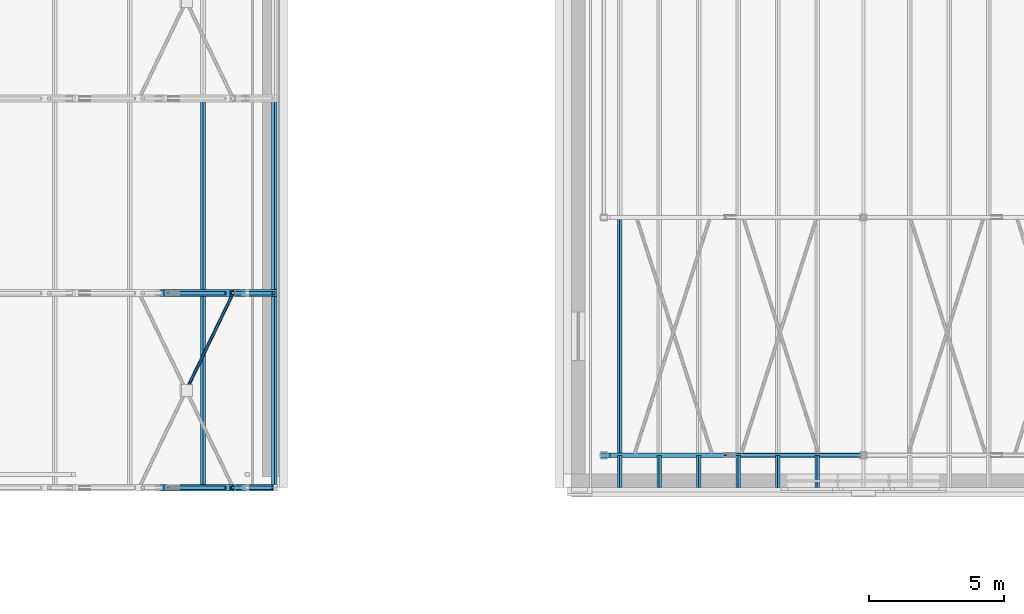
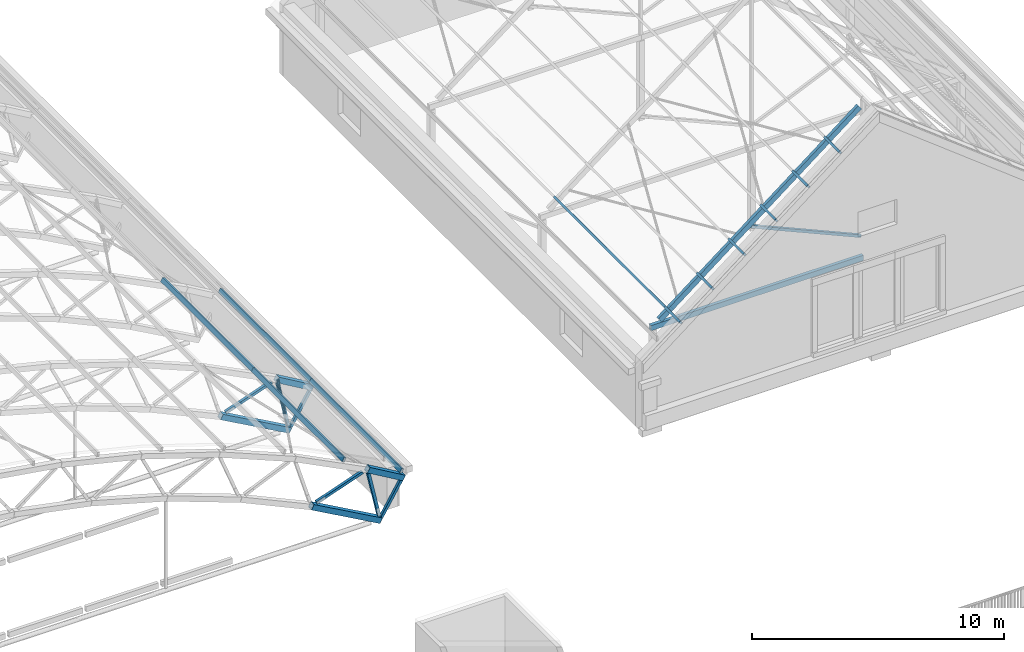
# One storey, part 33 of 127: 24 members, 1 beam.
"""IFC4 building model written with IfcOpenShell, lengths in metres."""

import ifcopenshell
import ifcopenshell.guid

model = None  # the IFC model being written
_history = None  # IfcOwnerHistory: only IFC2X3 demands one
_inside = {}  # id of a spatial element -> (the spatial element, [elements in it])
_under = {}  # id of a project, library or spatial element -> (it, [spatial elements below it])
_declared = {}  # id of a project -> (the project, [libraries it declares])
_typed = {}  # id of a type object -> (the type object, [elements of that type])
_made_of = {}  # id of a material, layer set ... -> (it, [elements and type objects made of it])


def new_model(schema):
    """Start an empty IFC model of exactly this schema.

    Asked for "IFC4X3", IfcOpenShell would pick the latest addendum, in which some entities
    have other attributes; the version numbers below select the first issue.
    IFC2X3 requires an IfcOwnerHistory on every rooted entity: one is made here for all.
    """
    global model, _history
    if schema == "IFC4X3":
        model = ifcopenshell.file(schema_version=(4, 3, 0, 0))
    else:
        model = ifcopenshell.file(schema=schema)
    _inside.clear()
    _under.clear()
    _declared.clear()
    _typed.clear()
    _made_of.clear()
    _history = None
    if model.schema == "IFC2X3":
        org = make("IfcOrganization", Name="unknown")
        user = make(
            "IfcPersonAndOrganization",
            ThePerson=make("IfcPerson", FamilyName="unknown"),
            TheOrganization=org,
        )
        app = make(
            "IfcApplication",
            ApplicationDeveloper=org,
            Version="unknown",
            ApplicationFullName="unknown",
            ApplicationIdentifier="unknown",
        )
        _history = make(
            "IfcOwnerHistory",
            OwningUser=user,
            OwningApplication=app,
            ChangeAction="ADDED",
            CreationDate=0,
        )
    return model


def make(cls, **values):
    """One entity of the class cls with the attributes given. An attribute that is None is left unset."""
    return model.create_entity(
        cls, **{name: value for name, value in values.items() if value is not None}
    )


def rooted(cls, **values):
    """An entity with a GlobalId (a new one), such as an element, a storey or a relation."""
    return make(cls, GlobalId=ifcopenshell.guid.new(), OwnerHistory=_history, **values)


def si_unit(unit_type, name, prefix=None):
    """IfcSIUnit, for example si_unit("LENGTHUNIT", "METRE", prefix="MILLI")."""
    return make("IfcSIUnit", UnitType=unit_type, Prefix=prefix, Name=name)


def assignment(units):
    """IfcUnitAssignment: the units of a project."""
    return None if units is None else make("IfcUnitAssignment", Units=units)


def point(xyz):
    """IfcCartesianPoint."""
    return None if xyz is None else make("IfcCartesianPoint", Coordinates=xyz)


def direction(xyz):
    """IfcDirection."""
    return None if xyz is None else make("IfcDirection", DirectionRatios=xyz)


def frame(location, z_axis=None, x_axis=None):
    """IfcAxis2Placement3D, a coordinate frame: its origin and axes. An axis left out is left unset."""
    return make(
        "IfcAxis2Placement3D",
        Location=point(location),
        Axis=direction(z_axis),
        RefDirection=direction(x_axis),
    )


def frame_2d(location, x_axis=None):
    """IfcAxis2Placement2D, a coordinate frame in the plane: its origin and x axis."""
    return make(
        "IfcAxis2Placement2D", Location=point(location), RefDirection=direction(x_axis)
    )


def origin():
    """The frame at (0, 0, 0) with its axes left unset."""
    return frame((0.0, 0.0, 0.0))


def origin_2d():
    """The frame at (0, 0) in the plane with its x axis left unset."""
    return frame_2d((0.0, 0.0))


def place(relative_to, where):
    """IfcLocalPlacement: puts the frame where relative to a parent placement (None: the world)."""
    return make(
        "IfcLocalPlacement", PlacementRelTo=relative_to, RelativePlacement=where
    )


def context(
    kind, dimensions, precision=None, world=None, true_north=None, identifier=None
):
    """IfcGeometricRepresentationContext, for example the 3D "Model" context."""
    return make(
        "IfcGeometricRepresentationContext",
        ContextIdentifier=identifier,
        ContextType=kind,
        CoordinateSpaceDimension=dimensions,
        Precision=precision,
        WorldCoordinateSystem=world,
        TrueNorth=true_north,
    )


def subcontext(parent, identifier, kind, view, scale=None):
    """IfcGeometricRepresentationSubContext, for example "Body" below "Model"."""
    return make(
        "IfcGeometricRepresentationSubContext",
        ContextIdentifier=identifier,
        ContextType=kind,
        ParentContext=parent,
        TargetScale=scale,
        TargetView=view,
    )


def project(units=None, contexts=None):
    """IfcProject with its units and contexts."""
    return rooted(
        "IfcProject",
        Name="project",
        RepresentationContexts=contexts,
        UnitsInContext=assignment(units),
    )


def spatial(cls, under=None, at=None, **own):
    """A site, building, storey or space (cls), placed at a placement, below another one or the project."""
    s = rooted(cls, ObjectPlacement=at, **own)
    if under is not None:
        _under.setdefault(under.id(), (under, []))[1].append(s)
    return s


def profile(cls, at=None, kind="AREA", **sizes):
    """A parametric profile (cls). Its sizes go by their IFC names, for example OverallWidth=200.0."""
    return make(cls, ProfileType=kind, Position=at, **sizes)


def hollow_rectangle(**sizes):
    """IfcRectangleHollowProfileDef."""
    return profile("IfcRectangleHollowProfileDef", **sizes)


def hollow_circle(**sizes):
    """IfcCircleHollowProfileDef."""
    return profile("IfcCircleHollowProfileDef", **sizes)


def extrude(swept, where, along, depth):
    """IfcExtrudedAreaSolid: the profile swept, set in the frame where, extruded along a direction by depth."""
    return make(
        "IfcExtrudedAreaSolid",
        SweptArea=swept,
        Position=where,
        ExtrudedDirection=direction(along),
        Depth=depth,
    )


def shape(context_of_items, identifier, shape_type, items):
    """IfcShapeRepresentation: the items that make up one representation, for example the "Body"."""
    return make(
        "IfcShapeRepresentation",
        ContextOfItems=context_of_items,
        RepresentationIdentifier=identifier,
        RepresentationType=shape_type,
        Items=items,
    )


def material(Name=None, Category=None):
    """IfcMaterial."""
    return make("IfcMaterial", Name=Name, Category=Category)


def material_profile(
    of_material, cross_section, Name=None, Category=None, Priority=None
):
    """IfcMaterialProfile: a cross section and its material."""
    return make(
        "IfcMaterialProfile",
        Name=Name,
        Material=of_material,
        Profile=cross_section,
        Priority=Priority,
        Category=Category,
    )


def profile_set(profiles, Name=None, composite=None):
    """IfcMaterialProfileSet."""
    return make(
        "IfcMaterialProfileSet",
        Name=Name,
        MaterialProfiles=profiles,
        CompositeProfile=composite,
    )


def made_of(thing, what):
    """Note that an element or type object is made of a material, layer set ...; save() writes the relation."""
    if what is not None:
        _made_of.setdefault(what.id(), (what, []))[1].append(thing)
    return thing


def type_object(cls, material=None, **own):
    """A type object (cls), such as IfcWallType, which elements share."""
    return made_of(rooted(cls, **own), material)


def element(
    cls,
    number,
    at=None,
    inside=None,
    cuts=None,
    type_object=None,
    material=None,
    context=None,
    identifier="Body",
    shape_type=None,
    held_by="IfcProductDefinitionShape",
    body=None,
    shapes=None,
    **own,
):
    """One element of the class cls, such as IfcWall. Its Tag is "e" and its number.

    at: its placement. inside: the storey or other place that contains it. cuts: it is an
    opening in that element (IfcRelVoidsElement). A single representation is given by context,
    identifier, shape_type and body (its items); several are given by shapes. held_by: the class
    of the entity that holds the representations. save() writes the other relations.
    """
    e = rooted(cls, Tag="e%d" % number, ObjectPlacement=at, **own)
    if body is not None:
        shapes = [shape(context, identifier, shape_type, body)]
    if shapes is not None:
        e.Representation = make(held_by, Representations=shapes)
    if inside is not None:
        _inside.setdefault(inside.id(), (inside, []))[1].append(e)
    if cuts is not None:
        rooted(
            "IfcRelVoidsElement", RelatingBuildingElement=cuts, RelatedOpeningElement=e
        )
    if type_object is not None:
        _typed.setdefault(type_object.id(), (type_object, []))[1].append(e)
    return made_of(e, material)


def aggregate(whole, parts):
    """IfcRelAggregates: a whole, such as a stair, and the parts it consists of."""
    return rooted("IfcRelAggregates", RelatingObject=whole, RelatedObjects=parts)


def save(model, path):
    """Write the relations noted so far, then the file.

    IfcRelAggregates (storeys below a building ...), IfcRelContainedInSpatialStructure (elements
    in a storey), IfcRelDefinesByType, IfcRelAssociatesMaterial and IfcRelDeclares: one each for
    every whole, place, type object, material and project.
    """
    for whole, parts in _under.values():
        aggregate(whole, parts)
    for where, things in _inside.values():
        rooted(
            "IfcRelContainedInSpatialStructure",
            RelatedElements=things,
            RelatingStructure=where,
        )
    for kind, things in _typed.values():
        rooted("IfcRelDefinesByType", RelatedObjects=things, RelatingType=kind)
    for what, things in _made_of.values():
        rooted("IfcRelAssociatesMaterial", RelatedObjects=things, RelatingMaterial=what)
    for by, libraries in _declared.values():
        rooted("IfcRelDeclares", RelatingContext=by, RelatedDefinitions=libraries)
    model.write(path)


model = new_model("IFC4")

# Units and contexts
model_context = context("Model", 3, precision=1e-05, world=origin(), true_north=direction((0.0, 1.0)))
body_context = subcontext(model_context, "Body", "Model", "MODEL_VIEW")
ifc_project = project(units=[si_unit("LENGTHUNIT", "METRE"), si_unit("AREAUNIT", "SQUARE_METRE"), si_unit("VOLUMEUNIT", "CUBIC_METRE"), si_unit("PLANEANGLEUNIT", "RADIAN"), si_unit("MASSUNIT", "GRAM", prefix="KILO")], contexts=[model_context])

# Site, building, storey
site_placement = place(None, origin())
site = spatial("IfcSite", under=ifc_project, at=site_placement, CompositionType="ELEMENT")
building_placement = place(site_placement, origin())
building = spatial("IfcBuilding", under=site, at=building_placement, Name="Verrick Yard Athletic Hall", CompositionType="ELEMENT")
storey_placement = place(building_placement, frame((0.0, 0.0, 14.0)))
storey = spatial("IfcBuildingStorey", under=building, at=storey_placement, Name="L03", CompositionType="ELEMENT", Elevation=14.0)

# Members
ifc_material = material(Name="Structural steel HSS Class C 350W (CSA G40.20/G40.21)", Category="steel")
ifc_material_profile_1 = material_profile(ifc_material, hollow_rectangle(XDim=0.25390625, YDim=0.25390625, WallThickness=0.009521484375, at=origin_2d()), Name="HSS254x254x9.5")
ifc_profile_set_1 = profile_set([ifc_material_profile_1], Name="Structural steel HSS Class C 350W (CSA G40.20/G40.21)")
member_type_1 = type_object("IfcMemberType", Name="HB bottom chord HSS254x254x9.5", PredefinedType="CHORD", material=ifc_profile_set_1)
for number, where, z_axis, x_axis, name in (
    (1, (72.856689453125, 72.0, 1.757080078125), (0.872881488331, 0.0, -0.4879322774), (0.0, 1.0, 0.0), "Truss TB1 bottom chord 14"),
    (2, (72.856689453125, 79.199951171875, 1.757080078125), (0.872881488331, 0.0, -0.4879322774), (0.0, 1.0, 0.0), "Truss TB2 bottom chord 14"),
):
    element("IfcMember", number, at=place(storey_placement, frame(where, z_axis=z_axis, x_axis=x_axis)), inside=storey, type_object=member_type_1, Name=name, PredefinedType="CHORD", context=body_context, shape_type="SweptSolid", body=[
        extrude(hollow_rectangle(XDim=0.25390625, YDim=0.25390625, WallThickness=0.009521484375, at=origin_2d()), origin(), (0.0, 0.0, 1.0), 3.60107421875),
    ])
ifc_material_profile_2 = material_profile(ifc_material, hollow_rectangle(XDim=0.1015625, YDim=0.203125, WallThickness=0.009521484375, at=origin_2d()), Name="HSS203x102x9.5")
ifc_profile_set_2 = profile_set([ifc_material_profile_2], Name="Structural steel HSS Class C 350W (CSA G40.20/G40.21)")
member_type_2 = type_object("IfcMemberType", Name="HB purlin HSS203x102x9.5", PredefinedType="PURLIN", material=ifc_profile_set_2)
for number, where, z_axis, x_axis, name in (
    (3, (74.365234375, 72.0, 3.44873046875), (0.0, 1.0, 0.0), (-0.891352741199, 0.0, 0.453310369126), "HB-PU-B-1-17"),
    (4, (77.003173828125, 72.0, 1.99462890625), (0.0, 1.0, 0.0), (-0.86316809178, 0.0, 0.504916671673), "HB-PU-B-1-18"),
    (5, (74.365234375, 79.199951171875, 3.44873046875), (0.0, 1.0, 0.0), (-0.891352741199, 0.0, 0.453310369126), "HB-PU-B-2-17"),
    (6, (77.003173828125, 79.199951171875, 1.99462890625), (0.0, 1.0, 0.0), (-0.86316809178, 0.0, 0.504916671673), "HB-PU-B-2-18"),
):
    element("IfcMember", number, at=place(storey_placement, frame(where, z_axis=z_axis, x_axis=x_axis)), inside=storey, type_object=member_type_2, Name=name, PredefinedType="PURLIN", context=body_context, shape_type="SweptSolid", body=[
        extrude(hollow_rectangle(XDim=0.1015625, YDim=0.203125, WallThickness=0.009521484375, at=origin_2d()), origin(), (0.0, 0.0, 1.0), 7.199951171875),
    ])
ifc_material_profile_3 = material_profile(ifc_material, hollow_rectangle(XDim=0.15234375, YDim=0.25390625, WallThickness=0.009521484375, at=origin_2d()), Name="HSS254x152x9.5")
ifc_profile_set_3 = profile_set([ifc_material_profile_3], Name="Structural steel HSS Class C 350W (CSA G40.20/G40.21)")
member_type_3 = type_object("IfcMemberType", Name="HB rafter HSS254x152x9.5", PredefinedType="RAFTER", material=ifc_profile_set_3)
member_1_placement = place(storey_placement, frame((89.4921875, 73.199951171875, 4.216552734375), z_axis=(0.789344281907, 0.0, 0.613950816125), x_axis=(0.0, 1.0, 0.0)))
element("IfcMember", 7, at=member_1_placement, inside=storey, type_object=member_type_3, Name="HB-RF-1W", PredefinedType="RAFTER", context=body_context, shape_type="SweptSolid", body=[
    extrude(hollow_rectangle(XDim=0.15234375, YDim=0.25390625, WallThickness=0.009521484375, at=origin_2d()), origin(), (0.0, 0.0, 1.0), 11.596435546875),
])
ifc_material_profile_4 = material_profile(ifc_material, hollow_circle(Radius=0.05712890625, WallThickness=0.00634765625, at=origin_2d()), Name="HSS114x6.4")
ifc_profile_set_4 = profile_set([ifc_material_profile_4], Name="Structural steel HSS Class C 350W (CSA G40.20/G40.21)")
member_type_4 = type_object("IfcMemberType", Name="HB roof brace HSS114x6.4", PredefinedType="BRACE", material=ifc_profile_set_4)
member_2_placement = place(storey_placement, frame((73.786865234375, 75.69287109375, 3.486328125), z_axis=(0.424607122794, 0.879253008538, -0.215923454607), x_axis=(-0.900495431236, 0.434865471524, 0.0)))
element("IfcMember", 8, at=member_2_placement, inside=storey, type_object=member_type_4, Name="HB-BR-B-1-12b2", PredefinedType="BRACE", context=body_context, shape_type="SweptSolid", body=[
    extrude(hollow_circle(Radius=0.05712890625, WallThickness=0.00634765625, at=origin_2d()), origin(), (0.0, 0.0, 1.0), 3.84423828125),
])
ifc_material_profile_5 = material_profile(ifc_material, hollow_rectangle(XDim=0.1015625, YDim=0.15234375, WallThickness=0.008056640625, at=origin_2d()), Name="HSS152x102x7.9")
ifc_profile_set_5 = profile_set([ifc_material_profile_5], Name="Structural steel HSS Class C 350W (CSA G40.20/G40.21)")
member_type_5 = type_object("IfcMemberType", Name="HB roof purlin HSS152x102x7.9", PredefinedType="PURLIN", material=ifc_profile_set_5)
member_3_placement = place(storey_placement, frame((89.78564453125, 72.0, 4.702392578125), z_axis=(0.0, 1.0, 0.0), x_axis=(-0.789352213638, 0.0, -0.613940618322)))
element("IfcMember", 9, at=member_3_placement, inside=storey, type_object=member_type_5, Name="HB-PU-C-W1-1", PredefinedType="PURLIN", context=body_context, shape_type="SweptSolid", body=[
    extrude(hollow_rectangle(XDim=0.1015625, YDim=0.15234375, WallThickness=0.008056640625, at=origin_2d()), origin(), (0.0, 0.0, 1.0), 1.199951171875),
])
member_4_placement = place(storey_placement, frame((89.78564453125, 73.199951171875, 4.702392578125), z_axis=(0.0, 1.0, 0.0), x_axis=(-0.789352213638, 0.0, -0.613940618322)))
element("IfcMember", 10, at=member_4_placement, inside=storey, type_object=member_type_5, Name="HB-PU-C-W1-2", PredefinedType="PURLIN", context=body_context, shape_type="SweptSolid", body=[
    extrude(hollow_rectangle(XDim=0.1015625, YDim=0.15234375, WallThickness=0.008056640625, at=origin_2d()), origin(), (0.0, 0.0, 1.0), 8.800048828125),
])
for number, where, z_axis, x_axis, name in (
    (11, (91.245849609375, 72.0, 5.838134765625), (0.0, 1.0, 0.0), (-0.789352213638, 0.0, -0.613940618322), "HB-PU-C-W2-1"),
    (12, (92.706298828125, 72.0, 6.973876953125), (0.0, 1.0, 0.0), (-0.789352213638, 0.0, -0.613940618322), "HB-PU-C-W3-1"),
    (13, (94.16650390625, 72.0, 8.109619140625), (0.0, 1.0, 0.0), (-0.789352213638, 0.0, -0.613940618322), "HB-PU-C-W4-1"),
    (14, (95.626953125, 72.0, 9.245361328125), (0.0, 1.0, 0.0), (-0.789352213638, 0.0, -0.613940618322), "HB-PU-C-W5-1"),
    (15, (97.087158203125, 72.0, 10.38134765625), (0.0, 1.0, 0.0), (-0.789352213638, 0.0, -0.613940618322), "HB-PU-C-W6-1"),
):
    element("IfcMember", number, at=place(storey_placement, frame(where, z_axis=z_axis, x_axis=x_axis)), inside=storey, type_object=member_type_5, Name=name, PredefinedType="PURLIN", context=body_context, shape_type="SweptSolid", body=[
        extrude(hollow_rectangle(XDim=0.1015625, YDim=0.15234375, WallThickness=0.008056640625, at=origin_2d()), origin(), (0.0, 0.0, 1.0), 1.199951171875),
    ])
ifc_material_profile_6 = material_profile(ifc_material, hollow_rectangle(XDim=0.126953125, YDim=0.126953125, WallThickness=0.009521484375, at=origin_2d()), Name="HSS127x127x9.5")
ifc_profile_set_6 = profile_set([ifc_material_profile_6], Name="Structural steel HSS Class C 350W (CSA G40.20/G40.21)")
member_type_6 = type_object("IfcMemberType", Name="HB roof strut HSS127x127x9.5", PredefinedType="STRUT", material=ifc_profile_set_6)
member_5_placement = place(storey_placement, frame((98.6982421875, 73.199951171875, 5.061279296875), z_axis=(-0.914681627435, 0.0, 0.4041751111), x_axis=(0.0, -1.0, 0.0)))
element("IfcMember", 16, at=member_5_placement, inside=storey, type_object=member_type_6, Name="HB-RS-1W", PredefinedType="STRUT", context=body_context, shape_type="SweptSolid", body=[
    extrude(hollow_rectangle(XDim=0.126953125, YDim=0.126953125, WallThickness=0.009521484375, at=origin_2d()), origin(), (0.0, 0.0, 1.0), 5.48291015625),
])

# Beam
ifc_material_profile_7 = material_profile(ifc_material, hollow_rectangle(XDim=0.15234375, YDim=0.25390625, WallThickness=0.009521484375, at=origin_2d()), Name="HSS254x152x9.5")
ifc_profile_set_7 = profile_set([ifc_material_profile_7], Name="Structural steel HSS Class C 350W (CSA G40.20/G40.21)")
beam_type = type_object("IfcBeamType", Name="HB roof tie HSS254x152x9.5", PredefinedType="BEAM", material=ifc_profile_set_7)
beam_placement = place(storey_placement, frame((89.072998046875, 73.199951171875, 3.9892578125), z_axis=(1.0, 0.0, 0.0), x_axis=(0.0, 1.0, 0.0)))
element("IfcBeam", 17, at=beam_placement, inside=storey, type_object=beam_type, Name="HB-RT-1W", PredefinedType="BEAM", context=body_context, shape_type="SweptSolid", body=[
    extrude(hollow_rectangle(XDim=0.15234375, YDim=0.25390625, WallThickness=0.009521484375, at=origin_2d()), origin(), (0.0, 0.0, 1.0), 9.72705078125),
])

# Members
ifc_material_profile_8 = material_profile(ifc_material, hollow_rectangle(XDim=0.25390625, YDim=0.25390625, WallThickness=0.009521484375, at=origin_2d()), Name="HSS254x254x9.5")
ifc_profile_set_8 = profile_set([ifc_material_profile_8], Name="Structural steel HSS Class C 350W (CSA G40.20/G40.21)")
member_type_7 = type_object("IfcMemberType", Name="HB top chord HSS254x254x9.5", PredefinedType="CHORD", material=ifc_profile_set_8)
for number, where, z_axis, x_axis, name in (
    (18, (75.42236328125, 72.0, 2.654541015625), (0.863174775639, 0.0, -0.504905245269), (0.0, 1.0, 0.0), "Truss TB1 top chord 15"),
    (19, (75.42236328125, 79.199951171875, 2.654541015625), (0.863174775639, 0.0, -0.504905245269), (0.0, 1.0, 0.0), "Truss TB2 top chord 15"),
):
    element("IfcMember", number, at=place(storey_placement, frame(where, z_axis=z_axis, x_axis=x_axis)), inside=storey, type_object=member_type_7, Name=name, PredefinedType="CHORD", context=body_context, shape_type="SweptSolid", body=[
        extrude(hollow_rectangle(XDim=0.25390625, YDim=0.25390625, WallThickness=0.009521484375, at=origin_2d()), origin(), (0.0, 0.0, 1.0), 1.878173828125),
    ])
ifc_material_profile_9 = material_profile(ifc_material, hollow_rectangle(XDim=0.126953125, YDim=0.126953125, WallThickness=0.009521484375, at=origin_2d()), Name="HSS127x127x9.5")
ifc_profile_set_9 = profile_set([ifc_material_profile_9], Name="Structural steel HSS Class C 350W (CSA G40.20/G40.21)")
member_type_8 = type_object("IfcMemberType", Name="HB truss end post HSS127x127x9.5", PredefinedType="POST", material=ifc_profile_set_9)
for number, where, z_axis, x_axis, name in (
    (20, (76.067626953125, 72.0, 0.110595703125), (0.521773101112, 0.0, 0.853084304718), (0.0, 1.0, 0.0), "Truss TB1 end post 2"),
    (21, (76.067626953125, 79.199951171875, 0.110595703125), (0.521773101112, 0.0, 0.853084304718), (0.0, 1.0, 0.0), "Truss TB2 end post 2"),
):
    element("IfcMember", number, at=place(storey_placement, frame(where, z_axis=z_axis, x_axis=x_axis)), inside=storey, type_object=member_type_8, Name=name, PredefinedType="POST", context=body_context, shape_type="SweptSolid", body=[
        extrude(hollow_rectangle(XDim=0.126953125, YDim=0.126953125, WallThickness=0.009521484375, at=origin_2d()), origin(), (0.0, 0.0, 1.0), 1.741943359375),
    ])
ifc_material_profile_10 = material_profile(ifc_material, hollow_rectangle(XDim=0.126953125, YDim=0.126953125, WallThickness=0.009521484375, at=origin_2d()), Name="HSS127x127x9.5")
ifc_profile_set_10 = profile_set([ifc_material_profile_10], Name="Structural steel HSS Class C 350W (CSA G40.20/G40.21)")
member_type_9 = type_object("IfcMemberType", Name="HB truss web HSS127x127x9.5", PredefinedType="BRACE", material=ifc_profile_set_10)
member_6_placement = place(storey_placement, frame((73.087158203125, 72.0, 1.841552734375), z_axis=(0.944015035532, 0.0, 0.329902429045), x_axis=(0.0, 1.0, 0.0)))
element("IfcMember", 22, at=member_6_placement, inside=storey, type_object=member_type_9, Name="Truss TB1 web 27", PredefinedType="BRACE", context=body_context, shape_type="SweptSolid", body=[
    extrude(hollow_rectangle(XDim=0.126953125, YDim=0.126953125, WallThickness=0.009521484375, at=origin_2d()), origin(), (0.0, 0.0, 1.0), 2.2333984375),
])
member_7_placement = place(storey_placement, frame((75.468505859375, 72.0, 2.430419921875), z_axis=(0.213603528569, 0.0, -0.976920433087), x_axis=(0.0, 1.0, 0.0)))
element("IfcMember", 23, at=member_7_placement, inside=storey, type_object=member_type_9, Name="Truss end diagonal TB1-28", PredefinedType="BRACE", context=body_context, shape_type="SweptSolid", body=[
    extrude(hollow_rectangle(XDim=0.126953125, YDim=0.126953125, WallThickness=0.009521484375, at=origin_2d()), origin(), (0.0, 0.0, 1.0), 2.261962890625),
])
member_8_placement = place(storey_placement, frame((73.087158203125, 79.199951171875, 1.841552734375), z_axis=(0.944015035532, 0.0, 0.329902429045), x_axis=(0.0, 1.0, 0.0)))
element("IfcMember", 24, at=member_8_placement, inside=storey, type_object=member_type_9, Name="Truss TB2 web 27", PredefinedType="BRACE", context=body_context, shape_type="SweptSolid", body=[
    extrude(hollow_rectangle(XDim=0.126953125, YDim=0.126953125, WallThickness=0.009521484375, at=origin_2d()), origin(), (0.0, 0.0, 1.0), 2.2333984375),
])
member_9_placement = place(storey_placement, frame((75.468505859375, 79.199951171875, 2.430419921875), z_axis=(0.213603528569, 0.0, -0.976920433087), x_axis=(0.0, 1.0, 0.0)))
element("IfcMember", 25, at=member_9_placement, inside=storey, type_object=member_type_9, Name="Truss end diagonal TB2-28", PredefinedType="BRACE", context=body_context, shape_type="SweptSolid", body=[
    extrude(hollow_rectangle(XDim=0.126953125, YDim=0.126953125, WallThickness=0.009521484375, at=origin_2d()), origin(), (0.0, 0.0, 1.0), 2.261962890625),
])

save(model, "model.ifc")
